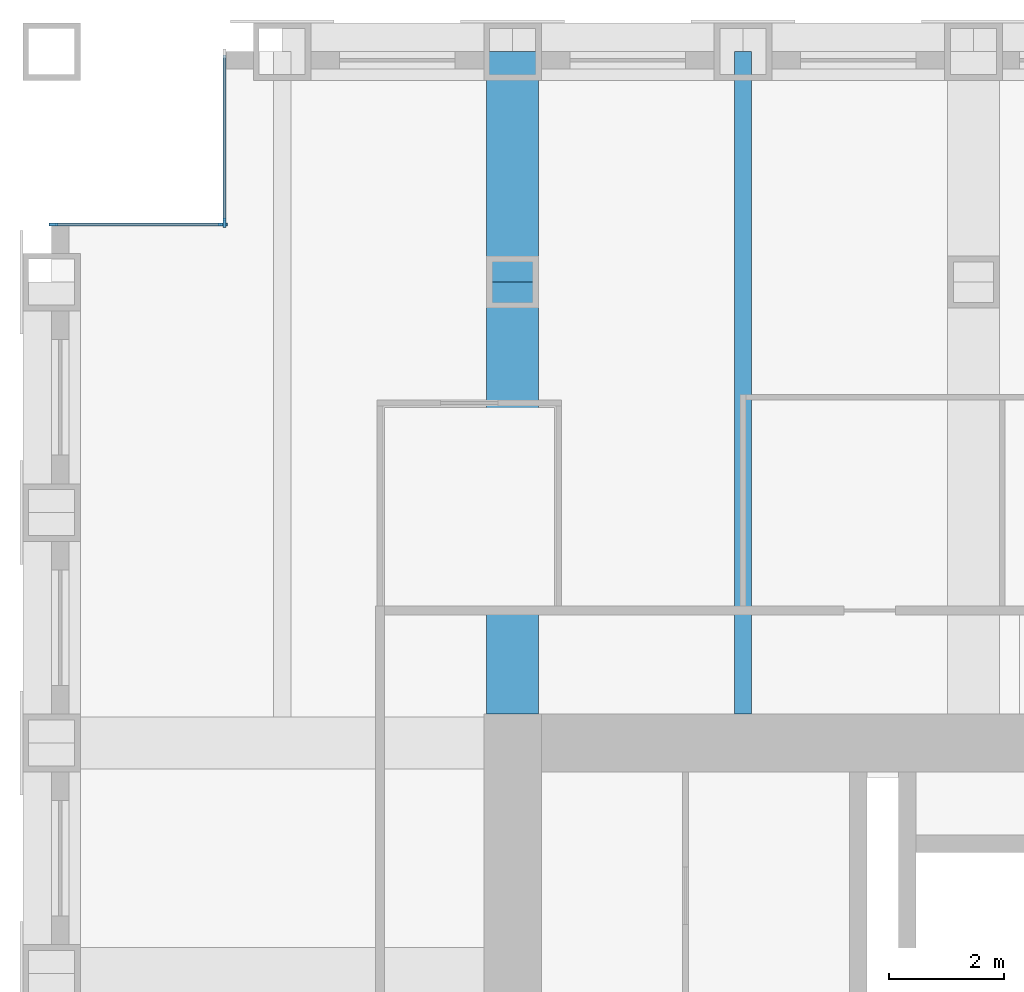
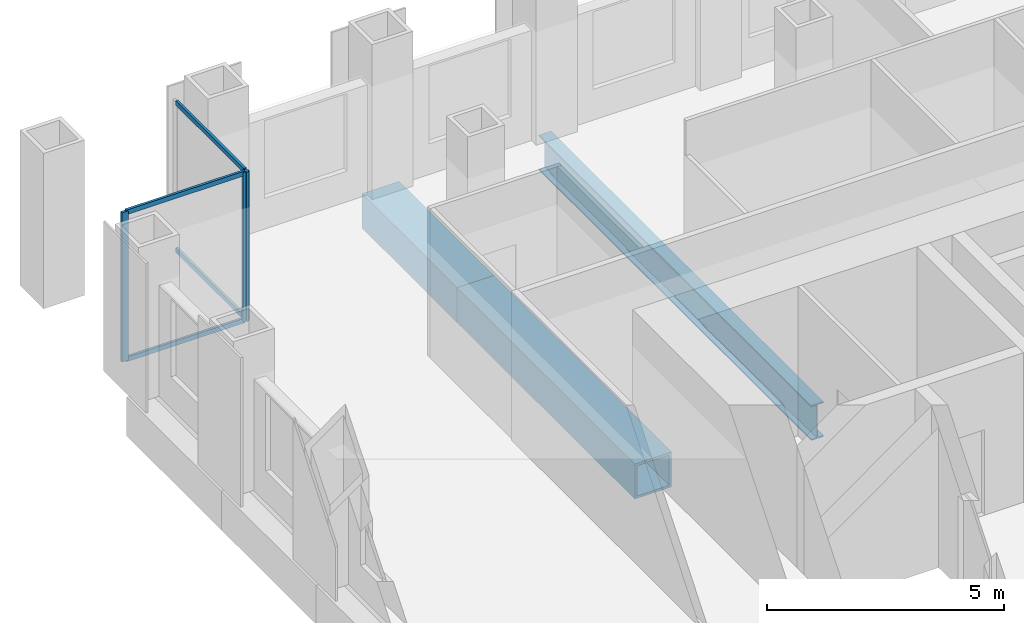
# One storey, part 6 of 16: 7 members, 3 beams, 2 elements without a shape of their own.
"""IFC4 building model written with IfcOpenShell, lengths in metres."""

from ifc_helpers import new_model, si_unit, direction, frame, origin, origin_2d, place, context, subcontext, project, spatial, rectangle, hollow_rectangle, i_section, extrude, material, material_profile, profile_set, type_object, element, aggregate, save


model = new_model("IFC4")

# Units and contexts
model_context = context("Model", 3, precision=1e-05, world=origin(), true_north=direction((0.0, 1.0)))
body_context = subcontext(model_context, "Body", "Model", "MODEL_VIEW")
ifc_project = project(units=[si_unit("LENGTHUNIT", "METRE"), si_unit("AREAUNIT", "SQUARE_METRE"), si_unit("VOLUMEUNIT", "CUBIC_METRE"), si_unit("PLANEANGLEUNIT", "RADIAN"), si_unit("MASSUNIT", "GRAM", prefix="KILO")], contexts=[model_context])

# Site, building, storey
site_placement = place(None, origin())
site = spatial("IfcSite", under=ifc_project, at=site_placement, CompositionType="ELEMENT")
building_placement = place(site_placement, origin())
building = spatial("IfcBuilding", under=site, at=building_placement, Name="Rimbunsela Tower", CompositionType="ELEMENT")
storey_placement = place(building_placement, frame((0.0, 0.0, 81.39990234375)))
storey = spatial("IfcBuildingStorey", under=building, at=storey_placement, Name="L19", CompositionType="ELEMENT", Elevation=81.39990234375)

# Beams
ifc_material_1 = material(Name="Steel BJ 55 (fy 410 MPa)", Category="steel")
ifc_material_profile_1 = material_profile(ifc_material_1, hollow_rectangle(XDim=0.89990234375, YDim=0.89990234375, WallThickness=0.06005859375, at=origin_2d()), Name="BOX 900x900x60")
ifc_profile_set_1 = profile_set([ifc_material_profile_1], Name="Steel BJ 55 (fy 410 MPa)")
beam_type_1 = type_object("IfcBeamType", Name="Beam BOX 900x900x60", PredefinedType="BEAM", material=ifc_profile_set_1)
beam_1_placement = place(storey_placement, frame((18.0, 36.5, -0.599853515625), z_axis=(0.0, 1.0, 0.0), x_axis=(-1.0, 0.0, 0.0)))
element("IfcBeam", 1, at=beam_1_placement, inside=storey, type_object=beam_type_1, Name="Beam B1 L19", PredefinedType="BEAM", context=body_context, shape_type="SweptSolid", body=[
    extrude(hollow_rectangle(XDim=0.89990234375, YDim=0.89990234375, WallThickness=0.06005859375, at=origin_2d()), origin(), (0.0, 0.0, 1.0), 7.5),
])
beam_2_placement = place(storey_placement, frame((18.0, 44.0, -0.599853515625), z_axis=(0.0, 1.0, 0.0), x_axis=(-1.0, 0.0, 0.0)))
element("IfcBeam", 2, at=beam_2_placement, inside=storey, type_object=beam_type_1, Name="Beam B1 L19", PredefinedType="BEAM", context=body_context, shape_type="SweptSolid", body=[
    extrude(hollow_rectangle(XDim=0.89990234375, YDim=0.89990234375, WallThickness=0.06005859375, at=origin_2d()), origin(), (0.0, 0.0, 1.0), 4.0),
])
ifc_material_2 = material(Name="Steel BJ 55 (fy 410 MPa)", Category="steel")
ifc_material_profile_2 = material_profile(ifc_material_2, i_section(OverallWidth=0.300048828125, OverallDepth=0.89990234375, WebThickness=0.01611328125, FlangeThickness=0.028076171875, FilletRadius=0.028076171875, at=origin_2d()), Name="H 900x300x16x28")
ifc_profile_set_2 = profile_set([ifc_material_profile_2], Name="Steel BJ 55 (fy 410 MPa)")
beam_type_2 = type_object("IfcBeamType", Name="Beam H 900x300x16x28", PredefinedType="BEAM", material=ifc_profile_set_2)
beam_3_placement = place(storey_placement, frame((22.0, 36.5, -0.599853515625), z_axis=(0.0, 1.0, 0.0), x_axis=(-1.0, 0.0, 0.0)))
element("IfcBeam", 3, at=beam_3_placement, inside=storey, type_object=beam_type_2, Name="Beam B2 L19", PredefinedType="BEAM", context=body_context, shape_type="SweptSolid", body=[
    extrude(i_section(OverallWidth=0.300048828125, OverallDepth=0.89990234375, WebThickness=0.01611328125, FlangeThickness=0.028076171875, FilletRadius=0.028076171875, at=origin_2d()), origin(), (0.0, 0.0, 1.0), 11.5),
])

# Curtain wall, member
ifc_material_3 = material(Name="Aluminium curtain wall", Category="aluminium")
curtain_wall_type = type_object("IfcCurtainWallType", Name="Corner glazing", PredefinedType="USERDEFINED", material=ifc_material_3)
curtain_wall_1_placement = place(storey_placement, origin())
curtain_wall_1 = element("IfcCurtainWall", 4, at=curtain_wall_1_placement, inside=storey, type_object=curtain_wall_type, Name="Corner glazing L19", ObjectType="CORNER GLAZING", PredefinedType="USERDEFINED")
ifc_material_4 = material(Name="Aluminium mullion", Category="aluminium")
ifc_material_profile_3 = material_profile(ifc_material_4, rectangle(XDim=0.06005859375, YDim=0.159912109375, at=origin_2d()), Name="Mullion 60x160")
ifc_profile_set_3 = profile_set([ifc_material_profile_3], Name="Aluminium mullion")
member_type_1 = type_object("IfcMemberType", Name="Curtain wall mullion 60x160", PredefinedType="MULLION", material=ifc_profile_set_3)
member_1_placement = place(storey_placement, frame((13.0, 45.030029296875, 0.0), z_axis=(0.0, 0.0, 1.0), x_axis=(1.0, 0.0, 0.0)))
member_1 = element("IfcMember", 5, at=member_1_placement, type_object=member_type_1, Name="CW5 mullion 2", PredefinedType="MULLION", context=body_context, shape_type="SweptSolid", body=[
    extrude(rectangle(XDim=0.06005859375, YDim=0.159912109375, at=origin_2d()), origin(), (0.0, 0.0, 1.0), 3.85009765625),
])

# Curtain wall, members
curtain_wall_2_placement = place(storey_placement, origin())
curtain_wall_2 = element("IfcCurtainWall", 6, at=curtain_wall_2_placement, inside=storey, type_object=curtain_wall_type, Name="Corner glazing L19", ObjectType="CORNER GLAZING", PredefinedType="USERDEFINED")
member_2_placement = place(storey_placement, frame((12.969970703125, 45.0, 0.0), z_axis=(0.0, 0.0, 1.0), x_axis=(0.0, -1.0, 0.0)))
member_2 = element("IfcMember", 7, at=member_2_placement, type_object=member_type_1, Name="CW5 mullion 1", PredefinedType="MULLION", context=body_context, shape_type="SweptSolid", body=[
    extrude(rectangle(XDim=0.06005859375, YDim=0.159912109375, at=origin_2d()), origin(), (0.0, 0.0, 1.0), 3.85009765625),
])
member_3_placement = place(storey_placement, frame((10.030029296875, 45.0, 0.0), z_axis=(0.0, 0.0, 1.0), x_axis=(0.0, -1.0, 0.0)))
member_3 = element("IfcMember", 8, at=member_3_placement, type_object=member_type_1, Name="CW5 mullion 2", PredefinedType="MULLION", context=body_context, shape_type="SweptSolid", body=[
    extrude(rectangle(XDim=0.06005859375, YDim=0.159912109375, at=origin_2d()), origin(), (0.0, 0.0, 1.0), 3.85009765625),
])

# Member
ifc_material_5 = material(Name="Aluminium transom", Category="aluminium")
ifc_material_profile_4 = material_profile(ifc_material_5, rectangle(XDim=0.06005859375, YDim=0.1201171875, at=origin_2d()), Name="Transom 60x120")
ifc_profile_set_4 = profile_set([ifc_material_profile_4], Name="Aluminium transom")
member_type_2 = type_object("IfcMemberType", Name="Curtain wall transom 60x120", PredefinedType="USERDEFINED", material=ifc_profile_set_4)
member_4_placement = place(storey_placement, frame((13.0, 47.93994140625, 0.030029296875), z_axis=(0.0, -1.0, 0.0), x_axis=(1.0, 0.0, 0.0)))
member_4 = element("IfcMember", 9, at=member_4_placement, type_object=member_type_2, Name="CW5 transom 1.1", ObjectType="TRANSOM", PredefinedType="USERDEFINED", context=body_context, shape_type="SweptSolid", body=[
    extrude(rectangle(XDim=0.06005859375, YDim=0.1201171875, at=origin_2d()), origin(), (0.0, 0.0, 1.0), 2.8798828125),
])

member_5_placement = place(storey_placement, frame((13.0, 47.93994140625, 3.820068359375), z_axis=(0.0, -1.0, 0.0), x_axis=(1.0, 0.0, 0.0)))
member_5 = element("IfcMember", 10, at=member_5_placement, type_object=member_type_2, Name="CW5 transom 1.2", ObjectType="TRANSOM", PredefinedType="USERDEFINED", context=body_context, shape_type="SweptSolid", body=[
    extrude(rectangle(XDim=0.06005859375, YDim=0.1201171875, at=origin_2d()), origin(), (0.0, 0.0, 1.0), 2.8798828125),
])

aggregate(curtain_wall_1, [member_1, member_4, member_5])

member_6_placement = place(storey_placement, frame((12.93994140625, 45.0, 0.030029296875), z_axis=(-1.0, 0.0, 0.0), x_axis=(0.0, -1.0, 0.0)))
member_6 = element("IfcMember", 11, at=member_6_placement, type_object=member_type_2, Name="CW5 transom 1.1", ObjectType="TRANSOM", PredefinedType="USERDEFINED", context=body_context, shape_type="SweptSolid", body=[
    extrude(rectangle(XDim=0.06005859375, YDim=0.1201171875, at=origin_2d()), origin(), (0.0, 0.0, 1.0), 2.8798828125),
])

member_7_placement = place(storey_placement, frame((12.93994140625, 45.0, 3.820068359375), z_axis=(-1.0, 0.0, 0.0), x_axis=(0.0, -1.0, 0.0)))
member_7 = element("IfcMember", 12, at=member_7_placement, type_object=member_type_2, Name="CW5 transom 1.2", ObjectType="TRANSOM", PredefinedType="USERDEFINED", context=body_context, shape_type="SweptSolid", body=[
    extrude(rectangle(XDim=0.06005859375, YDim=0.1201171875, at=origin_2d()), origin(), (0.0, 0.0, 1.0), 2.8798828125),
])

aggregate(curtain_wall_2, [member_2, member_3, member_6, member_7])

save(model, "model.ifc")
